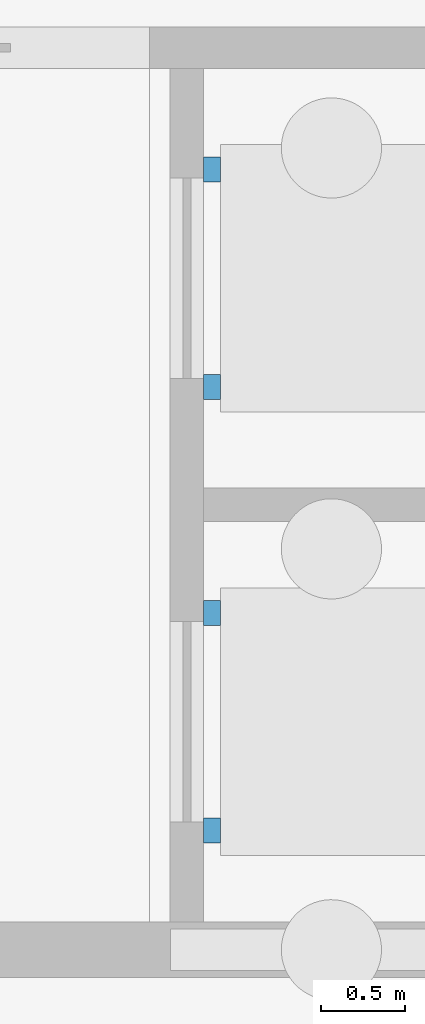
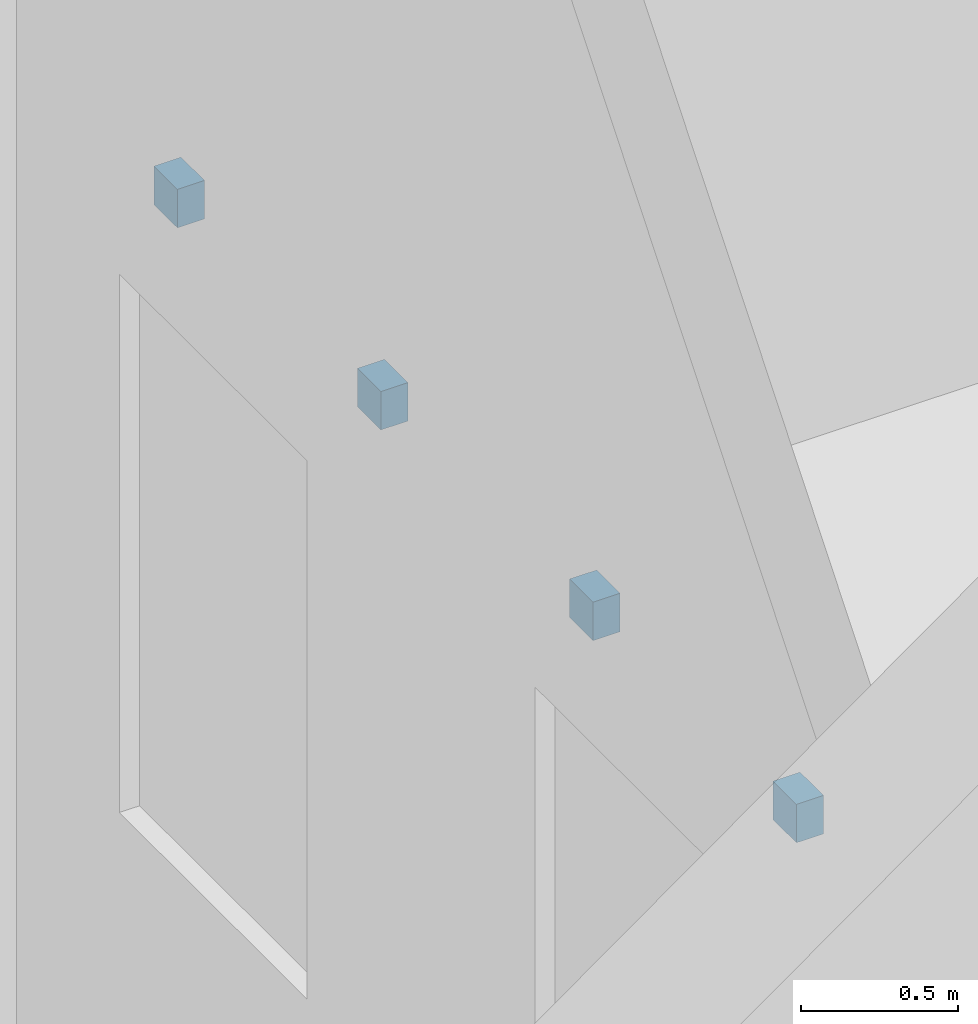
# One storey, part 48 of 84: 4 discrete accessories.
"""IFC4 building model written with IfcOpenShell, lengths in metres."""

from ifc_helpers import new_model, si_unit, direction, frame, origin, origin_2d, place, context, subcontext, project, spatial, rectangle, extrude, material, type_object, element, save


model = new_model("IFC4")

# Units and contexts
model_context = context("Model", 3, precision=1e-05, world=origin(), true_north=direction((0.0, 1.0)))
body_context = subcontext(model_context, "Body", "Model", "MODEL_VIEW")
ifc_project = project(units=[si_unit("LENGTHUNIT", "METRE"), si_unit("AREAUNIT", "SQUARE_METRE"), si_unit("VOLUMEUNIT", "CUBIC_METRE"), si_unit("PLANEANGLEUNIT", "RADIAN"), si_unit("MASSUNIT", "GRAM", prefix="KILO")], contexts=[model_context])

# Site, building, storey
site_placement = place(None, origin())
site = spatial("IfcSite", under=ifc_project, at=site_placement, CompositionType="ELEMENT")
building_placement = place(site_placement, origin())
building = spatial("IfcBuilding", under=site, at=building_placement, Name="Mazhai Court Health Centre", CompositionType="ELEMENT")
storey_placement = place(building_placement, origin())
storey = spatial("IfcBuildingStorey", under=building, at=storey_placement, Name="L00", CompositionType="ELEMENT", Elevation=0.0)

# Discrete accessories
ifc_material = material(Name="Steel IS 2062 E250", Category="steel")
discrete_accessory_type = type_object("IfcDiscreteAccessoryType", Name="LIFT RAIL BRACKET 150", PredefinedType="BRACKET", material=ifc_material)
for number, where, z_axis, x_axis, name in (
    (1, (125.485107421875, 14.114990234375, 2.22509765625), (0.0, 0.0, 1.0), (1.0, 0.0, 0.0), "core-C7-lift1-bracket0"),
    (2, (125.485107421875, 15.4150390625, 2.22509765625), (0.0, 0.0, 1.0), (1.0, 0.0, 0.0), "core-C7-lift1-bracket1"),
    (3, (125.485107421875, 16.77001953125, 2.22509765625), (0.0, 0.0, 1.0), (1.0, 0.0, 0.0), "core-C7-lift2-bracket0"),
    (4, (125.485107421875, 18.070068359375, 2.22509765625), (0.0, 0.0, 1.0), (1.0, 0.0, 0.0), "core-C7-lift2-bracket1"),
):
    element("IfcDiscreteAccessory", number, at=place(storey_placement, frame(where, z_axis=z_axis, x_axis=x_axis)), inside=storey, type_object=discrete_accessory_type, Name=name, PredefinedType="BRACKET", context=body_context, shape_type="SweptSolid", body=[
        extrude(rectangle(XDim=0.10009765625, YDim=0.14990234375, at=origin_2d()), origin(), (0.0, 0.0, 1.0), 0.14990234375),
    ])

save(model, "model.ifc")
